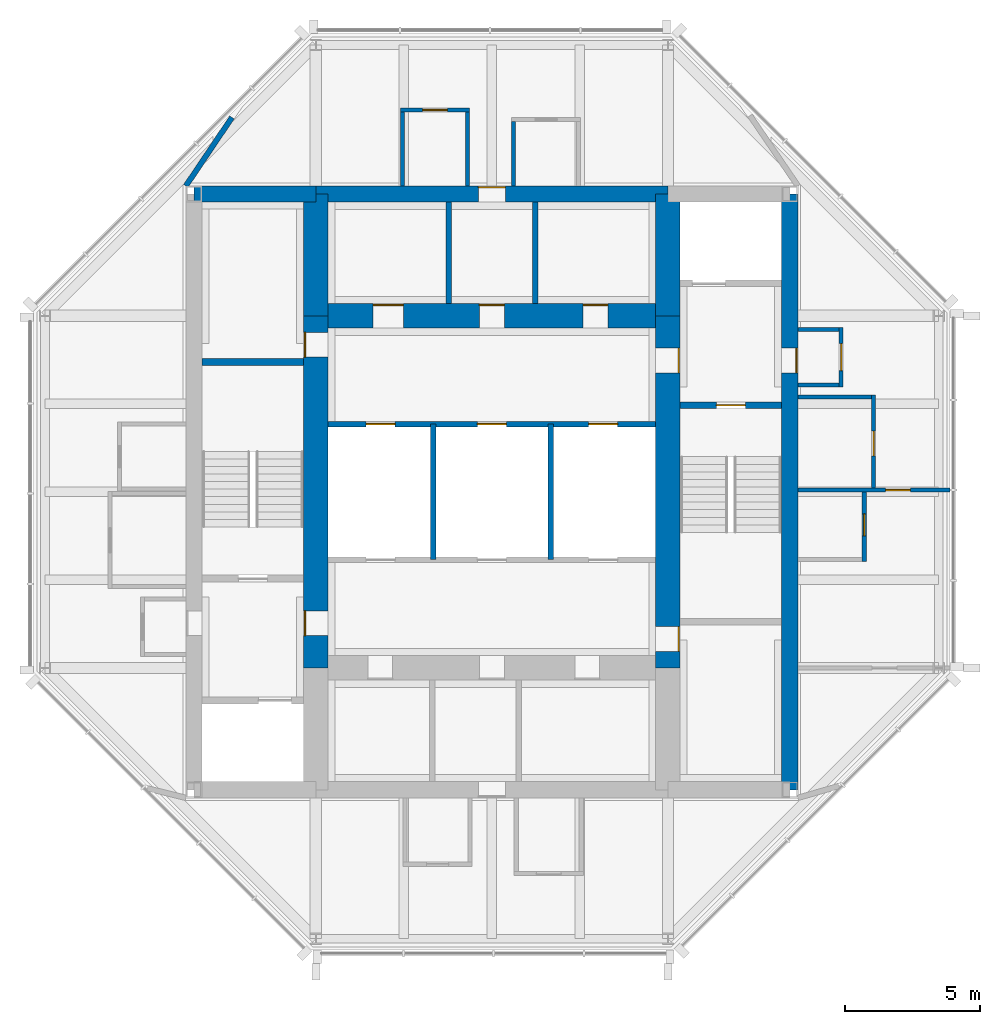
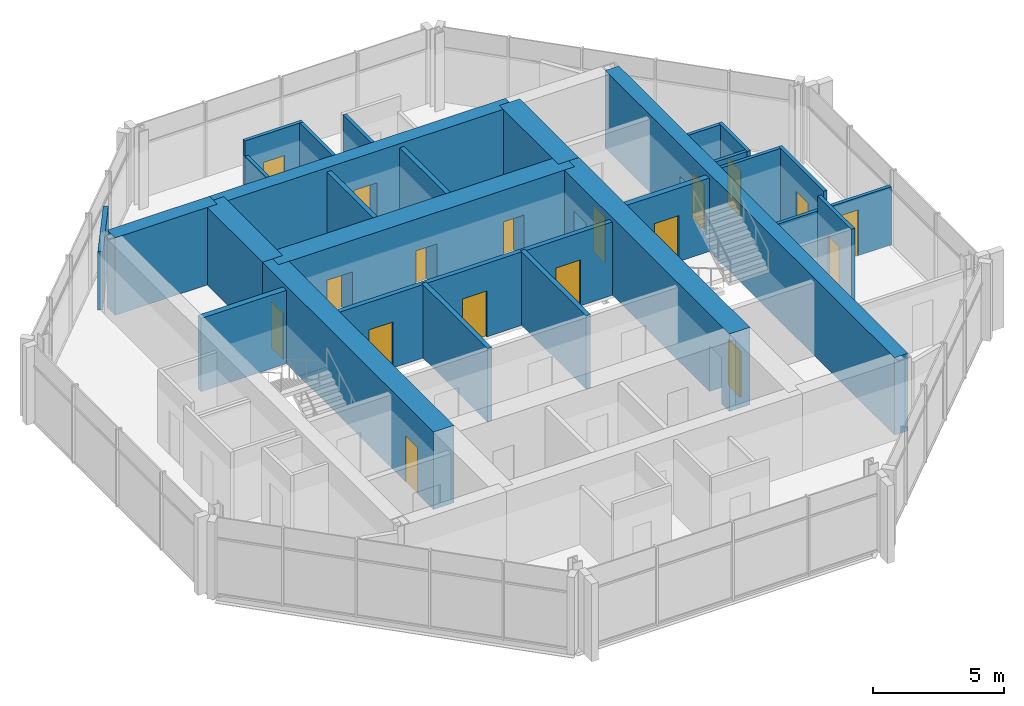
# One storey, part 6 of 8: 27 walls, 18 doors, 18 openings.
"""IFC4 building model written with IfcOpenShell, lengths in metres."""

import ifcopenshell
import ifcopenshell.guid

model = None  # the IFC model being written
_history = None  # IfcOwnerHistory: only IFC2X3 demands one
_inside = {}  # id of a spatial element -> (the spatial element, [elements in it])
_under = {}  # id of a project, library or spatial element -> (it, [spatial elements below it])
_declared = {}  # id of a project -> (the project, [libraries it declares])
_typed = {}  # id of a type object -> (the type object, [elements of that type])
_made_of = {}  # id of a material, layer set ... -> (it, [elements and type objects made of it])


def new_model(schema):
    """Start an empty IFC model of exactly this schema.

    Asked for "IFC4X3", IfcOpenShell would pick the latest addendum, in which some entities
    have other attributes; the version numbers below select the first issue.
    IFC2X3 requires an IfcOwnerHistory on every rooted entity: one is made here for all.
    """
    global model, _history
    if schema == "IFC4X3":
        model = ifcopenshell.file(schema_version=(4, 3, 0, 0))
    else:
        model = ifcopenshell.file(schema=schema)
    _inside.clear()
    _under.clear()
    _declared.clear()
    _typed.clear()
    _made_of.clear()
    _history = None
    if model.schema == "IFC2X3":
        org = make("IfcOrganization", Name="unknown")
        user = make(
            "IfcPersonAndOrganization",
            ThePerson=make("IfcPerson", FamilyName="unknown"),
            TheOrganization=org,
        )
        app = make(
            "IfcApplication",
            ApplicationDeveloper=org,
            Version="unknown",
            ApplicationFullName="unknown",
            ApplicationIdentifier="unknown",
        )
        _history = make(
            "IfcOwnerHistory",
            OwningUser=user,
            OwningApplication=app,
            ChangeAction="ADDED",
            CreationDate=0,
        )
    return model


def make(cls, **values):
    """One entity of the class cls with the attributes given. An attribute that is None is left unset."""
    return model.create_entity(
        cls, **{name: value for name, value in values.items() if value is not None}
    )


def rooted(cls, **values):
    """An entity with a GlobalId (a new one), such as an element, a storey or a relation."""
    return make(cls, GlobalId=ifcopenshell.guid.new(), OwnerHistory=_history, **values)


def si_unit(unit_type, name, prefix=None):
    """IfcSIUnit, for example si_unit("LENGTHUNIT", "METRE", prefix="MILLI")."""
    return make("IfcSIUnit", UnitType=unit_type, Prefix=prefix, Name=name)


def assignment(units):
    """IfcUnitAssignment: the units of a project."""
    return None if units is None else make("IfcUnitAssignment", Units=units)


def point(xyz):
    """IfcCartesianPoint."""
    return None if xyz is None else make("IfcCartesianPoint", Coordinates=xyz)


def direction(xyz):
    """IfcDirection."""
    return None if xyz is None else make("IfcDirection", DirectionRatios=xyz)


def frame(location, z_axis=None, x_axis=None):
    """IfcAxis2Placement3D, a coordinate frame: its origin and axes. An axis left out is left unset."""
    return make(
        "IfcAxis2Placement3D",
        Location=point(location),
        Axis=direction(z_axis),
        RefDirection=direction(x_axis),
    )


def frame_2d(location, x_axis=None):
    """IfcAxis2Placement2D, a coordinate frame in the plane: its origin and x axis."""
    return make(
        "IfcAxis2Placement2D", Location=point(location), RefDirection=direction(x_axis)
    )


def origin():
    """The frame at (0, 0, 0) with its axes left unset."""
    return frame((0.0, 0.0, 0.0))


def place(relative_to, where):
    """IfcLocalPlacement: puts the frame where relative to a parent placement (None: the world)."""
    return make(
        "IfcLocalPlacement", PlacementRelTo=relative_to, RelativePlacement=where
    )


def context(
    kind, dimensions, precision=None, world=None, true_north=None, identifier=None
):
    """IfcGeometricRepresentationContext, for example the 3D "Model" context."""
    return make(
        "IfcGeometricRepresentationContext",
        ContextIdentifier=identifier,
        ContextType=kind,
        CoordinateSpaceDimension=dimensions,
        Precision=precision,
        WorldCoordinateSystem=world,
        TrueNorth=true_north,
    )


def subcontext(parent, identifier, kind, view, scale=None):
    """IfcGeometricRepresentationSubContext, for example "Body" below "Model"."""
    return make(
        "IfcGeometricRepresentationSubContext",
        ContextIdentifier=identifier,
        ContextType=kind,
        ParentContext=parent,
        TargetScale=scale,
        TargetView=view,
    )


def project(units=None, contexts=None):
    """IfcProject with its units and contexts."""
    return rooted(
        "IfcProject",
        Name="project",
        RepresentationContexts=contexts,
        UnitsInContext=assignment(units),
    )


def spatial(cls, under=None, at=None, **own):
    """A site, building, storey or space (cls), placed at a placement, below another one or the project."""
    s = rooted(cls, ObjectPlacement=at, **own)
    if under is not None:
        _under.setdefault(under.id(), (under, []))[1].append(s)
    return s


def profile(cls, at=None, kind="AREA", **sizes):
    """A parametric profile (cls). Its sizes go by their IFC names, for example OverallWidth=200.0."""
    return make(cls, ProfileType=kind, Position=at, **sizes)


def rectangle(**sizes):
    """IfcRectangleProfileDef."""
    return profile("IfcRectangleProfileDef", **sizes)


def extrude(swept, where, along, depth):
    """IfcExtrudedAreaSolid: the profile swept, set in the frame where, extruded along a direction by depth."""
    return make(
        "IfcExtrudedAreaSolid",
        SweptArea=swept,
        Position=where,
        ExtrudedDirection=direction(along),
        Depth=depth,
    )


def shape(context_of_items, identifier, shape_type, items):
    """IfcShapeRepresentation: the items that make up one representation, for example the "Body"."""
    return make(
        "IfcShapeRepresentation",
        ContextOfItems=context_of_items,
        RepresentationIdentifier=identifier,
        RepresentationType=shape_type,
        Items=items,
    )


def material(Name=None, Category=None):
    """IfcMaterial."""
    return make("IfcMaterial", Name=Name, Category=Category)


def layer(
    of_material, thickness, ventilated=None, Name=None, Category=None, Priority=None
):
    """IfcMaterialLayer: one layer of a wall or slab, of a material (None: an air gap)."""
    return make(
        "IfcMaterialLayer",
        Material=of_material,
        LayerThickness=thickness,
        IsVentilated=ventilated,
        Name=Name,
        Category=Category,
        Priority=Priority,
    )


def layer_set(layers, Name=None):
    """IfcMaterialLayerSet."""
    return make("IfcMaterialLayerSet", MaterialLayers=layers, LayerSetName=Name)


def made_of(thing, what):
    """Note that an element or type object is made of a material, layer set ...; save() writes the relation."""
    if what is not None:
        _made_of.setdefault(what.id(), (what, []))[1].append(thing)
    return thing


def type_object(cls, material=None, **own):
    """A type object (cls), such as IfcWallType, which elements share."""
    return made_of(rooted(cls, **own), material)


def element(
    cls,
    number,
    at=None,
    inside=None,
    cuts=None,
    type_object=None,
    material=None,
    context=None,
    identifier="Body",
    shape_type=None,
    held_by="IfcProductDefinitionShape",
    body=None,
    shapes=None,
    **own,
):
    """One element of the class cls, such as IfcWall. Its Tag is "e" and its number.

    at: its placement. inside: the storey or other place that contains it. cuts: it is an
    opening in that element (IfcRelVoidsElement). A single representation is given by context,
    identifier, shape_type and body (its items); several are given by shapes. held_by: the class
    of the entity that holds the representations. save() writes the other relations.
    """
    e = rooted(cls, Tag="e%d" % number, ObjectPlacement=at, **own)
    if body is not None:
        shapes = [shape(context, identifier, shape_type, body)]
    if shapes is not None:
        e.Representation = make(held_by, Representations=shapes)
    if inside is not None:
        _inside.setdefault(inside.id(), (inside, []))[1].append(e)
    if cuts is not None:
        rooted(
            "IfcRelVoidsElement", RelatingBuildingElement=cuts, RelatedOpeningElement=e
        )
    if type_object is not None:
        _typed.setdefault(type_object.id(), (type_object, []))[1].append(e)
    return made_of(e, material)


def fill(opening, filler):
    """IfcRelFillsElement: the door or window that sits in an opening."""
    return rooted(
        "IfcRelFillsElement",
        RelatingOpeningElement=opening,
        RelatedBuildingElement=filler,
    )


def aggregate(whole, parts):
    """IfcRelAggregates: a whole, such as a stair, and the parts it consists of."""
    return rooted("IfcRelAggregates", RelatingObject=whole, RelatedObjects=parts)


def save(model, path):
    """Write the relations noted so far, then the file.

    IfcRelAggregates (storeys below a building ...), IfcRelContainedInSpatialStructure (elements
    in a storey), IfcRelDefinesByType, IfcRelAssociatesMaterial and IfcRelDeclares: one each for
    every whole, place, type object, material and project.
    """
    for whole, parts in _under.values():
        aggregate(whole, parts)
    for where, things in _inside.values():
        rooted(
            "IfcRelContainedInSpatialStructure",
            RelatedElements=things,
            RelatingStructure=where,
        )
    for kind, things in _typed.values():
        rooted("IfcRelDefinesByType", RelatedObjects=things, RelatingType=kind)
    for what, things in _made_of.values():
        rooted("IfcRelAssociatesMaterial", RelatedObjects=things, RelatingMaterial=what)
    for by, libraries in _declared.values():
        rooted("IfcRelDeclares", RelatingContext=by, RelatedDefinitions=libraries)
    model.write(path)


model = new_model("IFC4")

# Units and contexts
model_context = context("Model", 3, precision=1e-05, world=origin(), true_north=direction((0.0, 1.0)))
body_context = subcontext(model_context, "Body", "Model", "MODEL_VIEW")
ifc_project = project(units=[si_unit("LENGTHUNIT", "METRE"), si_unit("AREAUNIT", "SQUARE_METRE"), si_unit("VOLUMEUNIT", "CUBIC_METRE"), si_unit("PLANEANGLEUNIT", "RADIAN"), si_unit("MASSUNIT", "GRAM", prefix="KILO")], contexts=[model_context])

# Site, building, storey
site_placement = place(None, origin())
site = spatial("IfcSite", under=ifc_project, at=site_placement, CompositionType="ELEMENT")
building_placement = place(site_placement, origin())
building = spatial("IfcBuilding", under=site, at=building_placement, Name="Trevanion Tower", CompositionType="ELEMENT")
storey_placement = place(building_placement, frame((0.0, 0.0, 274.0)))
storey = spatial("IfcBuildingStorey", under=building, at=storey_placement, Name="L67", CompositionType="ELEMENT", Elevation=274.0)

# Wall, opening, door
ifc_material_1 = material(Name="Concrete 10,000 psi", Category="concrete")
ifc_layer_1 = layer(ifc_material_1, 0.60009765625)
ifc_layer_set_1 = layer_set([ifc_layer_1], Name="CW1 core wall 600")
wall_type_1 = type_object("IfcWallType", Name="CW1 core wall 600", PredefinedType="SHEAR", material=ifc_layer_set_1)
wall_1_placement = place(storey_placement, frame((11.0, -11.0, 0.0), z_axis=(0.0, 0.0, 1.0), x_axis=(0.0, 1.0, 0.0)))
wall_1 = element("IfcWall", 1, at=wall_1_placement, inside=storey, type_object=wall_type_1, Name="CW1 CE L67", PredefinedType="SHEAR", context=body_context, shape_type="SweptSolid", body=[
    extrude(rectangle(XDim=22.0, YDim=0.60009765625, at=frame_2d((11.0, 0.0))), origin(), (0.0, 0.0, 1.0), 3.60009765625),
])
opening_1_placement = place(wall_1_placement, frame((15.392578125, 0.0, 0.0)))
opening_1 = element("IfcOpeningElement", 2, at=opening_1_placement, cuts=wall_1, Name="Opening 67-001", PredefinedType="OPENING", context=body_context, shape_type="SweptSolid", body=[
    extrude(rectangle(XDim=0.9150390625, YDim=2.134033203125, at=frame_2d((0.45751953125, 1.06689453125))), frame((0.0, 0.31005859375, 0.0), z_axis=(0.0, -1.0, 0.0), x_axis=(1.0, 0.0, 0.0)), (0.0, 0.0, 1.0), 0.6201171875),
])
ifc_material_2 = material(Name="Hollow metal, fire rated", Category="steel")
door_type_1 = type_object("IfcDoorType", Name="D3 fire lift lobby door", OperationType="SINGLE_SWING_RIGHT", PredefinedType="DOOR", material=ifc_material_2)
door_1_placement = place(opening_1_placement, origin())
door_1 = element("IfcDoor", 3, at=door_1_placement, inside=storey, type_object=door_type_1, Name="Door 67-001", OperationType="SINGLE_SWING_RIGHT", OverallHeight=2.134033203125, OverallWidth=0.9150390625, PredefinedType="DOOR", context=body_context, shape_type="SweptSolid", body=[
    extrude(rectangle(XDim=0.9150390625, YDim=2.134033203125, at=frame_2d((0.45751953125, 1.06689453125))), frame((0.0, -0.22509765625, 0.0), z_axis=(0.0, -1.0, 0.0), x_axis=(1.0, 0.0, 0.0)), (0.0, 0.0, 1.0), 0.050048828125),
])
fill(opening_1, door_1)

wall_2_placement = place(storey_placement, frame((6.5, 11.0, 0.0), z_axis=(0.0, 0.0, 1.0), x_axis=(-1.0, 0.0, 0.0)))
wall_2 = element("IfcWall", 4, at=wall_2_placement, inside=storey, type_object=wall_type_1, Name="CW1 CN2 L67", PredefinedType="SHEAR", context=body_context, shape_type="SweptSolid", body=[
    extrude(rectangle(XDim=13.0, YDim=0.60009765625, at=frame_2d((6.5, 0.0))), origin(), (0.0, 0.0, 1.0), 3.60009765625),
])
opening_2_placement = place(wall_2_placement, frame((6.0, 0.0, 0.0)))
opening_2 = element("IfcOpeningElement", 5, at=opening_2_placement, cuts=wall_2, Name="Opening 67-018", PredefinedType="OPENING", context=body_context, shape_type="SweptSolid", body=[
    extrude(rectangle(XDim=1.0, YDim=2.134033203125, at=frame_2d((0.5, 1.06689453125))), frame((0.0, 0.31005859375, 0.0), z_axis=(0.0, -1.0, 0.0), x_axis=(1.0, 0.0, 0.0)), (0.0, 0.0, 1.0), 0.6201171875),
])
ifc_material_3 = material(Name="Timber veneer on steel frame, fire rated", Category="steel")
door_type_2 = type_object("IfcDoorType", Name="D13 residence entrance door", OperationType="SINGLE_SWING_RIGHT", PredefinedType="DOOR", material=ifc_material_3)
door_2_placement = place(opening_2_placement, origin())
door_2 = element("IfcDoor", 6, at=door_2_placement, inside=storey, type_object=door_type_2, Name="Door 67-018", OperationType="SINGLE_SWING_RIGHT", OverallHeight=2.134033203125, OverallWidth=1.0, PredefinedType="DOOR", context=body_context, shape_type="SweptSolid", body=[
    extrude(rectangle(XDim=1.0, YDim=2.134033203125, at=frame_2d((0.5, 1.06689453125))), frame((0.0, -0.22509765625, 0.0), z_axis=(0.0, -1.0, 0.0), x_axis=(1.0, 0.0, 0.0)), (0.0, 0.0, 1.0), 0.050048828125),
])
fill(opening_2, door_2)

# Wall
wall_3_placement = place(storey_placement, frame((-6.5, 11.0, 0.0), z_axis=(0.0, 0.0, 1.0), x_axis=(-1.0, 0.0, 0.0)))
element("IfcWall", 7, at=wall_3_placement, inside=storey, type_object=wall_type_1, Name="CW1 CN3 L67", PredefinedType="SHEAR", context=body_context, shape_type="SweptSolid", body=[
    extrude(rectangle(XDim=4.5, YDim=0.60009765625, at=frame_2d((2.25, 0.0))), origin(), (0.0, 0.0, 1.0), 3.60009765625),
])

# Wall, openings, doors
ifc_material_4 = material(Name="Concrete 10,000 psi", Category="concrete")
ifc_layer_2 = layer(ifc_material_4, 0.89990234375)
ifc_layer_set_2 = layer_set([ifc_layer_2], Name="CW2 core wall 900")
wall_type_2 = type_object("IfcWallType", Name="CW2 core wall 900", PredefinedType="SHEAR", material=ifc_layer_set_2)
wall_4_placement = place(storey_placement, frame((6.5, -6.5, 0.0), z_axis=(0.0, 0.0, 1.0), x_axis=(0.0, 1.0, 0.0)))
wall_4 = element("IfcWall", 8, at=wall_4_placement, inside=storey, type_object=wall_type_2, Name="CW2 RE2 L67", PredefinedType="SHEAR", context=body_context, shape_type="SweptSolid", body=[
    extrude(rectangle(XDim=13.0, YDim=0.89990234375, at=frame_2d((6.5, 0.0))), origin(), (0.0, 0.0, 1.0), 3.60009765625),
])
opening_3_placement = place(wall_4_placement, frame((10.892578125, 0.0, 0.0)))
opening_3 = element("IfcOpeningElement", 9, at=opening_3_placement, cuts=wall_4, Name="Opening 67-003", PredefinedType="OPENING", context=body_context, shape_type="SweptSolid", body=[
    extrude(rectangle(XDim=0.9150390625, YDim=2.134033203125, at=frame_2d((0.45751953125, 1.06689453125))), frame((0.0, 0.4599609375, 0.0), z_axis=(0.0, -1.0, 0.0), x_axis=(1.0, 0.0, 0.0)), (0.0, 0.0, 1.0), 0.919921875),
])
opening_4_placement = place(wall_4_placement, frame((0.610107421875, 0.0, 0.0)))
opening_4 = element("IfcOpeningElement", 10, at=opening_4_placement, cuts=wall_4, Name="Opening 67-009", PredefinedType="OPENING", context=body_context, shape_type="SweptSolid", body=[
    extrude(rectangle(XDim=0.9150390625, YDim=2.134033203125, at=frame_2d((0.45751953125, 1.06689453125))), frame((0.0, 0.4599609375, 0.0), z_axis=(0.0, -1.0, 0.0), x_axis=(1.0, 0.0, 0.0)), (0.0, 0.0, 1.0), 0.919921875),
])
door_3_placement = place(opening_3_placement, origin())
door_3 = element("IfcDoor", 11, at=door_3_placement, inside=storey, type_object=door_type_1, Name="Door 67-003", OperationType="SINGLE_SWING_RIGHT", OverallHeight=2.134033203125, OverallWidth=0.9150390625, PredefinedType="DOOR", context=body_context, shape_type="SweptSolid", body=[
    extrude(rectangle(XDim=0.9150390625, YDim=2.134033203125, at=frame_2d((0.45751953125, 1.06689453125))), frame((0.0, -0.375, 0.0), z_axis=(0.0, -1.0, 0.0), x_axis=(1.0, 0.0, 0.0)), (0.0, 0.0, 1.0), 0.050048828125),
])
fill(opening_3, door_3)
ifc_material_5 = material(Name="Hollow metal, fire rated", Category="steel")
door_type_3 = type_object("IfcDoorType", Name="D5 service room door", OperationType="SINGLE_SWING_RIGHT", PredefinedType="DOOR", material=ifc_material_5)
door_4_placement = place(opening_4_placement, origin())
door_4 = element("IfcDoor", 12, at=door_4_placement, inside=storey, type_object=door_type_3, Name="Door 67-009", OperationType="SINGLE_SWING_RIGHT", OverallHeight=2.134033203125, OverallWidth=0.9150390625, PredefinedType="DOOR", context=body_context, shape_type="SweptSolid", body=[
    extrude(rectangle(XDim=0.9150390625, YDim=2.134033203125, at=frame_2d((0.45751953125, 1.06689453125))), frame((0.0, -0.375, 0.0), z_axis=(0.0, -1.0, 0.0), x_axis=(1.0, 0.0, 0.0)), (0.0, 0.0, 1.0), 0.050048828125),
])
fill(opening_4, door_4)

# Walls
for number, where, z_axis, x_axis, name in (
    (13, (6.5, 6.5, 0.0), (0.0, 0.0, 1.0), (0.0, 1.0, 0.0), "CW2 RE3 L67"),
    (14, (-6.5, 11.0, 0.0), (0.0, 0.0, 1.0), (0.0, -1.0, 0.0), "CW2 RW1 L67"),
):
    element("IfcWall", number, at=place(storey_placement, frame(where, z_axis=z_axis, x_axis=x_axis)), inside=storey, type_object=wall_type_2, Name=name, PredefinedType="SHEAR", context=body_context, shape_type="SweptSolid", body=[
        extrude(rectangle(XDim=4.5, YDim=0.89990234375, at=frame_2d((2.25, 0.0))), origin(), (0.0, 0.0, 1.0), 3.60009765625),
    ])

# Wall, openings, doors
wall_5_placement = place(storey_placement, frame((-6.5, 6.5, 0.0), z_axis=(0.0, 0.0, 1.0), x_axis=(0.0, -1.0, 0.0)))
wall_5 = element("IfcWall", 15, at=wall_5_placement, inside=storey, type_object=wall_type_2, Name="CW2 RW2 L67", PredefinedType="SHEAR", context=body_context, shape_type="SweptSolid", body=[
    extrude(rectangle(XDim=13.0, YDim=0.89990234375, at=frame_2d((6.5, 0.0))), origin(), (0.0, 0.0, 1.0), 3.60009765625),
])
opening_5_placement = place(wall_5_placement, frame((10.892578125, 0.0, 0.0)))
opening_5 = element("IfcOpeningElement", 16, at=opening_5_placement, cuts=wall_5, Name="Opening 67-004", PredefinedType="OPENING", context=body_context, shape_type="SweptSolid", body=[
    extrude(rectangle(XDim=0.9150390625, YDim=2.134033203125, at=frame_2d((0.45751953125, 1.06689453125))), frame((0.0, 0.4599609375, 0.0), z_axis=(0.0, -1.0, 0.0), x_axis=(1.0, 0.0, 0.0)), (0.0, 0.0, 1.0), 0.919921875),
])
opening_6_placement = place(wall_5_placement, frame((0.610107421875, 0.0, 0.0)))
opening_6 = element("IfcOpeningElement", 17, at=opening_6_placement, cuts=wall_5, Name="Opening 67-010", PredefinedType="OPENING", context=body_context, shape_type="SweptSolid", body=[
    extrude(rectangle(XDim=0.9150390625, YDim=2.134033203125, at=frame_2d((0.45751953125, 1.06689453125))), frame((0.0, 0.4599609375, 0.0), z_axis=(0.0, -1.0, 0.0), x_axis=(1.0, 0.0, 0.0)), (0.0, 0.0, 1.0), 0.919921875),
])
door_5_placement = place(opening_5_placement, origin())
door_5 = element("IfcDoor", 18, at=door_5_placement, inside=storey, type_object=door_type_1, Name="Door 67-004", OperationType="SINGLE_SWING_RIGHT", OverallHeight=2.134033203125, OverallWidth=0.9150390625, PredefinedType="DOOR", context=body_context, shape_type="SweptSolid", body=[
    extrude(rectangle(XDim=0.9150390625, YDim=2.134033203125, at=frame_2d((0.45751953125, 1.06689453125))), frame((0.0, -0.375, 0.0), z_axis=(0.0, -1.0, 0.0), x_axis=(1.0, 0.0, 0.0)), (0.0, 0.0, 1.0), 0.050048828125),
])
fill(opening_5, door_5)
door_6_placement = place(opening_6_placement, origin())
door_6 = element("IfcDoor", 19, at=door_6_placement, inside=storey, type_object=door_type_3, Name="Door 67-010", OperationType="SINGLE_SWING_RIGHT", OverallHeight=2.134033203125, OverallWidth=0.9150390625, PredefinedType="DOOR", context=body_context, shape_type="SweptSolid", body=[
    extrude(rectangle(XDim=0.9150390625, YDim=2.134033203125, at=frame_2d((0.45751953125, 1.06689453125))), frame((0.0, -0.375, 0.0), z_axis=(0.0, -1.0, 0.0), x_axis=(1.0, 0.0, 0.0)), (0.0, 0.0, 1.0), 0.050048828125),
])
fill(opening_6, door_6)

wall_6_placement = place(storey_placement, frame((6.5, 6.5, 0.0), z_axis=(0.0, 0.0, 1.0), x_axis=(-1.0, 0.0, 0.0)))
wall_6 = element("IfcWall", 20, at=wall_6_placement, inside=storey, type_object=wall_type_2, Name="CW2 RN L67", PredefinedType="SHEAR", context=body_context, shape_type="SweptSolid", body=[
    extrude(rectangle(XDim=13.0, YDim=0.89990234375, at=frame_2d((6.5, 0.0))), origin(), (0.0, 0.0, 1.0), 3.60009765625),
])
opening_7_placement = place(wall_6_placement, frame((6.04248046875, 0.0, 0.0)))
opening_7 = element("IfcOpeningElement", 21, at=opening_7_placement, cuts=wall_6, Name="Opening 67-017", PredefinedType="OPENING", context=body_context, shape_type="SweptSolid", body=[
    extrude(rectangle(XDim=0.9150390625, YDim=2.134033203125, at=frame_2d((0.45751953125, 1.06689453125))), frame((0.0, 0.4599609375, 0.0), z_axis=(0.0, -1.0, 0.0), x_axis=(1.0, 0.0, 0.0)), (0.0, 0.0, 1.0), 0.919921875),
])
opening_8_placement = place(wall_6_placement, frame((9.76611328125, 0.0, 0.0)))
opening_8 = element("IfcOpeningElement", 22, at=opening_8_placement, cuts=wall_6, Name="Opening 67-019", PredefinedType="OPENING", context=body_context, shape_type="SweptSolid", body=[
    extrude(rectangle(XDim=1.117919921875, YDim=2.134033203125, at=frame_2d((0.55908203125, 1.06689453125))), frame((0.0, 0.4599609375, 0.0), z_axis=(0.0, -1.0, 0.0), x_axis=(1.0, 0.0, 0.0)), (0.0, 0.0, 1.0), 0.919921875),
])
opening_9_placement = place(wall_6_placement, frame((2.217529296875, 0.0, 0.0)))
opening_9 = element("IfcOpeningElement", 23, at=opening_9_placement, cuts=wall_6, Name="Opening 67-020", PredefinedType="OPENING", context=body_context, shape_type="SweptSolid", body=[
    extrude(rectangle(XDim=0.9150390625, YDim=2.134033203125, at=frame_2d((0.45751953125, 1.06689453125))), frame((0.0, 0.4599609375, 0.0), z_axis=(0.0, -1.0, 0.0), x_axis=(1.0, 0.0, 0.0)), (0.0, 0.0, 1.0), 0.919921875),
])
ifc_material_6 = material(Name="Hollow metal, fire rated", Category="steel")
door_type_4 = type_object("IfcDoorType", Name="D16 refuse room door", OperationType="SINGLE_SWING_RIGHT", PredefinedType="DOOR", material=ifc_material_6)
door_7_placement = place(opening_8_placement, origin())
door_7 = element("IfcDoor", 24, at=door_7_placement, inside=storey, type_object=door_type_4, Name="Door 67-019", OperationType="SINGLE_SWING_RIGHT", OverallHeight=2.134033203125, OverallWidth=1.117919921875, PredefinedType="DOOR", context=body_context, shape_type="SweptSolid", body=[
    extrude(rectangle(XDim=1.117919921875, YDim=2.134033203125, at=frame_2d((0.55908203125, 1.06689453125))), frame((0.0, -0.375, 0.0), z_axis=(0.0, -1.0, 0.0), x_axis=(1.0, 0.0, 0.0)), (0.0, 0.0, 1.0), 0.050048828125),
])
fill(opening_8, door_7)
door_8_placement = place(opening_7_placement, origin())
door_8 = element("IfcDoor", 25, at=door_8_placement, inside=storey, type_object=door_type_1, Name="Door 67-017", OperationType="SINGLE_SWING_RIGHT", OverallHeight=2.134033203125, OverallWidth=0.9150390625, PredefinedType="DOOR", context=body_context, shape_type="SweptSolid", body=[
    extrude(rectangle(XDim=0.9150390625, YDim=2.134033203125, at=frame_2d((0.45751953125, 1.06689453125))), frame((0.0, -0.375, 0.0), z_axis=(0.0, -1.0, 0.0), x_axis=(1.0, 0.0, 0.0)), (0.0, 0.0, 1.0), 0.050048828125),
])
fill(opening_7, door_8)
door_9_placement = place(opening_9_placement, origin())
door_9 = element("IfcDoor", 26, at=door_9_placement, inside=storey, type_object=door_type_3, Name="Door 67-020", OperationType="SINGLE_SWING_RIGHT", OverallHeight=2.134033203125, OverallWidth=0.9150390625, PredefinedType="DOOR", context=body_context, shape_type="SweptSolid", body=[
    extrude(rectangle(XDim=0.9150390625, YDim=2.134033203125, at=frame_2d((0.45751953125, 1.06689453125))), frame((0.0, -0.375, 0.0), z_axis=(0.0, -1.0, 0.0), x_axis=(1.0, 0.0, 0.0)), (0.0, 0.0, 1.0), 0.050048828125),
])
fill(opening_9, door_9)

# Wall, opening, door
ifc_material_7 = material(Name="Gypsum board on steel studs", Category="steel")
ifc_layer_3 = layer(ifc_material_7, 0.14990234375)
ifc_layer_set_3 = layer_set([ifc_layer_3], Name="PT1 partition 150")
wall_type_3 = type_object("IfcWallType", Name="PT1 partition 150", PredefinedType="PARTITIONING", material=ifc_layer_set_3)
wall_7_placement = place(storey_placement, frame((11.300048828125, 0.06494140625, 0.0), z_axis=(0.0, 0.0, 1.0), x_axis=(1.0, 0.0, 0.0)))
wall_7 = element("IfcWall", 27, at=wall_7_placement, inside=storey, type_object=wall_type_3, Name="PT1 L67 REC1", PredefinedType="PARTITIONING", context=body_context, shape_type="SweptSolid", body=[
    extrude(rectangle(XDim=5.614990234375, YDim=0.14990234375, at=frame_2d((2.8076171875, 0.0))), origin(), (0.0, 0.0, 1.0), 2.708984375),
])
opening_10_placement = place(wall_7_placement, frame((3.242431640625, 0.0, 0.0)))
opening_10 = element("IfcOpeningElement", 28, at=opening_10_placement, cuts=wall_7, Name="Opening 67-029", PredefinedType="OPENING", context=body_context, shape_type="SweptSolid", body=[
    extrude(rectangle(XDim=0.9150390625, YDim=2.134033203125, at=frame_2d((0.45751953125, 1.06689453125))), frame((0.0, 0.0849609375, 0.0), z_axis=(0.0, -1.0, 0.0), x_axis=(1.0, 0.0, 0.0)), (0.0, 0.0, 1.0), 0.169921875),
])
ifc_material_8 = material(Name="Timber veneer, solid core", Category="wood")
door_type_5 = type_object("IfcDoorType", Name="D1 office and meeting room door", OperationType="SINGLE_SWING_LEFT", PredefinedType="DOOR", material=ifc_material_8)
door_10_placement = place(opening_10_placement, origin())
door_10 = element("IfcDoor", 29, at=door_10_placement, inside=storey, type_object=door_type_5, Name="Door 67-029", OperationType="SINGLE_SWING_LEFT", OverallHeight=2.134033203125, OverallWidth=0.9150390625, PredefinedType="DOOR", context=body_context, shape_type="SweptSolid", body=[
    extrude(rectangle(XDim=0.9150390625, YDim=2.134033203125, at=frame_2d((0.45751953125, 1.06689453125))), frame((0.0, 0.02490234375, 0.0), z_axis=(0.0, -1.0, 0.0), x_axis=(1.0, 0.0, 0.0)), (0.0, 0.0, 1.0), 0.050048828125),
])
fill(opening_10, door_10)

# Walls
for number, where, z_axis, x_axis, name in (
    (30, (11.300048828125, 3.949951171875, 0.0), (0.0, 0.0, 1.0), (1.0, 0.0, 0.0), "PT1 L67 REEA"),
    (31, (11.300048828125, 6.0, 0.0), (0.0, 0.0, 1.0), (1.0, 0.0, 0.0), "PT1 L67 REEB"),
):
    element("IfcWall", number, at=place(storey_placement, frame(where, z_axis=z_axis, x_axis=x_axis)), inside=storey, type_object=wall_type_3, Name=name, PredefinedType="PARTITIONING", context=body_context, shape_type="SweptSolid", body=[
        extrude(rectangle(XDim=1.52490234375, YDim=0.14990234375, at=frame_2d((0.762451171875, 0.0))), origin(), (0.0, 0.0, 1.0), 3.409912109375),
    ])

# Wall, opening, door
wall_8_placement = place(storey_placement, frame((14.10009765625, 0.139892578125, 0.0), z_axis=(0.0, 0.0, 1.0), x_axis=(0.0, 1.0, 0.0)))
wall_8 = element("IfcWall", 32, at=wall_8_placement, inside=storey, type_object=wall_type_3, Name="PT1 L67 REKF", PredefinedType="PARTITIONING", context=body_context, shape_type="SweptSolid", body=[
    extrude(rectangle(XDim=3.43505859375, YDim=0.14990234375, at=frame_2d((1.717529296875, 0.0))), origin(), (0.0, 0.0, 1.0), 3.409912109375),
])
opening_11_placement = place(wall_8_placement, frame((1.18505859375, 0.0, 0.0)))
opening_11 = element("IfcOpeningElement", 33, at=opening_11_placement, cuts=wall_8, Name="Opening 67-026", PredefinedType="OPENING", context=body_context, shape_type="SweptSolid", body=[
    extrude(rectangle(XDim=0.9150390625, YDim=2.134033203125, at=frame_2d((0.45751953125, 1.06689453125))), frame((0.0, 0.0849609375, 0.0), z_axis=(0.0, -1.0, 0.0), x_axis=(1.0, 0.0, 0.0)), (0.0, 0.0, 1.0), 0.169921875),
])
door_11_placement = place(opening_11_placement, origin())
door_11 = element("IfcDoor", 34, at=door_11_placement, inside=storey, type_object=door_type_5, Name="Door 67-026", OperationType="SINGLE_SWING_LEFT", OverallHeight=2.134033203125, OverallWidth=0.9150390625, PredefinedType="DOOR", context=body_context, shape_type="SweptSolid", body=[
    extrude(rectangle(XDim=0.9150390625, YDim=2.134033203125, at=frame_2d((0.45751953125, 1.06689453125))), frame((0.0, 0.02490234375, 0.0), z_axis=(0.0, -1.0, 0.0), x_axis=(1.0, 0.0, 0.0)), (0.0, 0.0, 1.0), 0.050048828125),
])
fill(opening_11, door_11)

# Wall
wall_9_placement = place(storey_placement, frame((11.300048828125, 3.5, 0.0), z_axis=(0.0, 0.0, 1.0), x_axis=(1.0, 0.0, 0.0)))
element("IfcWall", 35, at=wall_9_placement, inside=storey, type_object=wall_type_3, Name="PT1 L67 REKB", PredefinedType="PARTITIONING", context=body_context, shape_type="SweptSolid", body=[
    extrude(rectangle(XDim=2.724853515625, YDim=0.14990234375, at=frame_2d((1.3623046875, 0.0))), origin(), (0.0, 0.0, 1.0), 3.409912109375),
])

# Wall, opening, door
wall_10_placement = place(storey_placement, frame((13.75, -2.574951171875, 0.0), z_axis=(0.0, 0.0, 1.0), x_axis=(0.0, 1.0, 0.0)))
wall_10 = element("IfcWall", 36, at=wall_10_placement, inside=storey, type_object=wall_type_3, Name="PT1 L67 RETF", PredefinedType="PARTITIONING", context=body_context, shape_type="SweptSolid", body=[
    extrude(rectangle(XDim=2.56494140625, YDim=0.14990234375, at=frame_2d((1.282470703125, 0.0))), origin(), (0.0, 0.0, 1.0), 3.409912109375),
])
opening_12_placement = place(wall_10_placement, frame((0.950927734375, 0.0, 0.0)))
opening_12 = element("IfcOpeningElement", 37, at=opening_12_placement, cuts=wall_10, Name="Opening 67-027", PredefinedType="OPENING", context=body_context, shape_type="SweptSolid", body=[
    extrude(rectangle(XDim=0.81298828125, YDim=2.031982421875, at=frame_2d((0.406494140625, 1.01611328125))), frame((0.0, 0.0849609375, 0.0), z_axis=(0.0, -1.0, 0.0), x_axis=(1.0, 0.0, 0.0)), (0.0, 0.0, 1.0), 0.169921875),
])
ifc_material_9 = material(Name="Timber veneer", Category="wood")
door_type_6 = type_object("IfcDoorType", Name="D14 residence bathroom door", OperationType="SINGLE_SWING_LEFT", PredefinedType="DOOR", material=ifc_material_9)
door_12_placement = place(opening_12_placement, origin())
door_12 = element("IfcDoor", 38, at=door_12_placement, inside=storey, type_object=door_type_6, Name="Door 67-027", OperationType="SINGLE_SWING_LEFT", OverallHeight=2.031982421875, OverallWidth=0.81298828125, PredefinedType="DOOR", context=body_context, shape_type="SweptSolid", body=[
    extrude(rectangle(XDim=0.81298828125, YDim=2.031982421875, at=frame_2d((0.406494140625, 1.01611328125))), frame((0.0, 0.02490234375, 0.0), z_axis=(0.0, -1.0, 0.0), x_axis=(1.0, 0.0, 0.0)), (0.0, 0.0, 1.0), 0.050048828125),
])
fill(opening_12, door_12)

wall_11_placement = place(storey_placement, frame((-0.824951171875, 14.10009765625, 0.0), z_axis=(0.0, 0.0, 1.0), x_axis=(-1.0, 0.0, 0.0)))
wall_11 = element("IfcWall", 39, at=wall_11_placement, inside=storey, type_object=wall_type_3, Name="PT1 L67 RNKF", PredefinedType="PARTITIONING", context=body_context, shape_type="SweptSolid", body=[
    extrude(rectangle(XDim=2.550048828125, YDim=0.14990234375, at=frame_2d((1.27490234375, 0.0))), origin(), (0.0, 0.0, 1.0), 3.409912109375),
])
opening_13_placement = place(wall_11_placement, frame((0.8173828125, 0.0, 0.0)))
opening_13 = element("IfcOpeningElement", 40, at=opening_13_placement, cuts=wall_11, Name="Opening 67-030", PredefinedType="OPENING", context=body_context, shape_type="SweptSolid", body=[
    extrude(rectangle(XDim=0.9150390625, YDim=2.134033203125, at=frame_2d((0.45751953125, 1.06689453125))), frame((0.0, 0.0849609375, 0.0), z_axis=(0.0, -1.0, 0.0), x_axis=(1.0, 0.0, 0.0)), (0.0, 0.0, 1.0), 0.169921875),
])
door_13_placement = place(opening_13_placement, origin())
door_13 = element("IfcDoor", 41, at=door_13_placement, inside=storey, type_object=door_type_5, Name="Door 67-030", OperationType="SINGLE_SWING_LEFT", OverallHeight=2.134033203125, OverallWidth=0.9150390625, PredefinedType="DOOR", context=body_context, shape_type="SweptSolid", body=[
    extrude(rectangle(XDim=0.9150390625, YDim=2.134033203125, at=frame_2d((0.45751953125, 1.06689453125))), frame((0.0, 0.02490234375, 0.0), z_axis=(0.0, -1.0, 0.0), x_axis=(1.0, 0.0, 0.0)), (0.0, 0.0, 1.0), 0.050048828125),
])
fill(opening_13, door_13)

# Walls
wall_12_placement = place(storey_placement, frame((-0.89990234375, 11.300048828125, 0.0), z_axis=(0.0, 0.0, 1.0), x_axis=(0.0, 1.0, 0.0)))
element("IfcWall", 42, at=wall_12_placement, inside=storey, type_object=wall_type_3, Name="PT1 L67 RNKA", PredefinedType="PARTITIONING", context=body_context, shape_type="SweptSolid", body=[
    extrude(rectangle(XDim=2.724853515625, YDim=0.14990234375, at=frame_2d((1.3623046875, 0.0))), origin(), (0.0, 0.0, 1.0), 3.409912109375),
])
wall_13_placement = place(storey_placement, frame((-3.300048828125, 11.300048828125, 0.0), z_axis=(0.0, 0.0, 1.0), x_axis=(0.0, 1.0, 0.0)))
element("IfcWall", 43, at=wall_13_placement, inside=storey, type_object=wall_type_3, Name="PT1 L67 RNKB", PredefinedType="PARTITIONING", context=body_context, shape_type="SweptSolid", body=[
    extrude(rectangle(XDim=2.724853515625, YDim=0.14990234375, at=frame_2d((1.3623046875, 0.0))), origin(), (0.0, 0.0, 1.0), 2.708984375),
])
wall_14_placement = place(storey_placement, frame((0.800048828125, 11.300048828125, 0.0), z_axis=(0.0, 0.0, 1.0), x_axis=(0.0, 1.0, 0.0)))
element("IfcWall", 44, at=wall_14_placement, inside=storey, type_object=wall_type_3, Name="PT1 L67 RNTB", PredefinedType="PARTITIONING", context=body_context, shape_type="SweptSolid", body=[
    extrude(rectangle(XDim=2.375, YDim=0.14990234375, at=frame_2d((1.1875, 0.0))), origin(), (0.0, 0.0, 1.0), 3.409912109375),
])

# Wall, opening, door
ifc_material_10 = material(Name="Gypsum board on steel studs", Category="steel")
ifc_layer_4 = layer(ifc_material_10, 0.14990234375)
ifc_layer_set_4 = layer_set([ifc_layer_4], Name="PT1 partition 150 1 HR")
wall_type_4 = type_object("IfcWallType", Name="PT1 partition 150 1 HR", PredefinedType="PARTITIONING", material=ifc_layer_set_4)
wall_15_placement = place(storey_placement, frame((12.89990234375, 3.875, 0.0), z_axis=(0.0, 0.0, 1.0), x_axis=(0.0, 1.0, 0.0)))
wall_15 = element("IfcWall", 45, at=wall_15_placement, inside=storey, type_object=wall_type_4, Name="PT1 L67 REEF", PredefinedType="PARTITIONING", context=body_context, shape_type="SweptSolid", body=[
    extrude(rectangle(XDim=2.199951171875, YDim=0.14990234375, at=frame_2d((1.10009765625, 0.0))), origin(), (0.0, 0.0, 1.0), 3.409912109375),
])
opening_14_placement = place(wall_15_placement, frame((0.60009765625, 0.0, 0.0)))
opening_14 = element("IfcOpeningElement", 46, at=opening_14_placement, cuts=wall_15, Name="Opening 67-025", PredefinedType="OPENING", context=body_context, shape_type="SweptSolid", body=[
    extrude(rectangle(XDim=1.0, YDim=2.134033203125, at=frame_2d((0.5, 1.06689453125))), frame((0.0, 0.0849609375, 0.0), z_axis=(0.0, -1.0, 0.0), x_axis=(1.0, 0.0, 0.0)), (0.0, 0.0, 1.0), 0.169921875),
])
door_14_placement = place(opening_14_placement, origin())
door_14 = element("IfcDoor", 47, at=door_14_placement, inside=storey, type_object=door_type_2, Name="Door 67-025", OperationType="SINGLE_SWING_RIGHT", OverallHeight=2.134033203125, OverallWidth=1.0, PredefinedType="DOOR", context=body_context, shape_type="SweptSolid", body=[
    extrude(rectangle(XDim=1.0, YDim=2.134033203125, at=frame_2d((0.5, 1.06689453125))), frame((0.0, 0.02490234375, 0.0), z_axis=(0.0, -1.0, 0.0), x_axis=(1.0, 0.0, 0.0)), (0.0, 0.0, 1.0), 0.050048828125),
])
fill(opening_14, door_14)

# Wall, openings, doors
ifc_material_11 = material(Name="Concrete masonry, grouted", Category="masonry")
ifc_layer_5 = layer(ifc_material_11, 0.199951171875)
ifc_layer_set_5 = layer_set([ifc_layer_5], Name="PT2 partition 200 1 HR")
wall_type_5 = type_object("IfcWallType", Name="PT2 partition 200 1 HR", PredefinedType="PARTITIONING", material=ifc_layer_set_5)
wall_16_placement = place(storey_placement, frame((-6.050048828125, 2.5, 0.0), z_axis=(0.0, 0.0, 1.0), x_axis=(1.0, 0.0, 0.0)))
wall_16 = element("IfcWall", 48, at=wall_16_placement, inside=storey, type_object=wall_type_5, Name="PT2 L67 CP1", PredefinedType="PARTITIONING", context=body_context, shape_type="SweptSolid", body=[
    extrude(rectangle(XDim=12.10009765625, YDim=0.199951171875, at=frame_2d((6.050048828125, 0.0))), origin(), (0.0, 0.0, 1.0), 3.409912109375),
])
opening_15_placement = place(wall_16_placement, frame((1.408203125, 0.0, 0.0)))
opening_15 = element("IfcOpeningElement", 49, at=opening_15_placement, cuts=wall_16, Name="Opening 67-011", PredefinedType="OPENING", context=body_context, shape_type="SweptSolid", body=[
    extrude(rectangle(XDim=1.06689453125, YDim=2.134033203125, at=frame_2d((0.533447265625, 1.06689453125))), frame((0.0, 0.10986328125, 0.0), z_axis=(0.0, -1.0, 0.0), x_axis=(1.0, 0.0, 0.0)), (0.0, 0.0, 1.0), 0.219970703125),
])
opening_16_placement = place(wall_16_placement, frame((5.5166015625, 0.0, 0.0)))
opening_16 = element("IfcOpeningElement", 50, at=opening_16_placement, cuts=wall_16, Name="Opening 67-013", PredefinedType="OPENING", context=body_context, shape_type="SweptSolid", body=[
    extrude(rectangle(XDim=1.06689453125, YDim=2.134033203125, at=frame_2d((0.533447265625, 1.06689453125))), frame((0.0, 0.10986328125, 0.0), z_axis=(0.0, -1.0, 0.0), x_axis=(1.0, 0.0, 0.0)), (0.0, 0.0, 1.0), 0.219970703125),
])
opening_17_placement = place(wall_16_placement, frame((9.624755859375, 0.0, 0.0)))
opening_17 = element("IfcOpeningElement", 51, at=opening_17_placement, cuts=wall_16, Name="Opening 67-015", PredefinedType="OPENING", context=body_context, shape_type="SweptSolid", body=[
    extrude(rectangle(XDim=1.06689453125, YDim=2.134033203125, at=frame_2d((0.533447265625, 1.06689453125))), frame((0.0, 0.10986328125, 0.0), z_axis=(0.0, -1.0, 0.0), x_axis=(1.0, 0.0, 0.0)), (0.0, 0.0, 1.0), 0.219970703125),
])
ifc_material_12 = material(Name="Stainless steel, fire rated", Category="steel")
door_type_7 = type_object("IfcDoorType", Name="LD1 lift landing door", OperationType="SLIDING_TO_LEFT", PredefinedType="DOOR", material=ifc_material_12)
door_15_placement = place(opening_15_placement, origin())
door_15 = element("IfcDoor", 52, at=door_15_placement, inside=storey, type_object=door_type_7, Name="Door 67-011", OperationType="SLIDING_TO_LEFT", OverallHeight=2.134033203125, OverallWidth=1.06689453125, PredefinedType="DOOR", context=body_context, shape_type="SweptSolid", body=[
    extrude(rectangle(XDim=1.06689453125, YDim=2.134033203125, at=frame_2d((0.533447265625, 1.06689453125))), frame((0.0, 0.02490234375, 0.0), z_axis=(0.0, -1.0, 0.0), x_axis=(1.0, 0.0, 0.0)), (0.0, 0.0, 1.0), 0.050048828125),
])
fill(opening_15, door_15)
door_16_placement = place(opening_16_placement, origin())
door_16 = element("IfcDoor", 53, at=door_16_placement, inside=storey, type_object=door_type_7, Name="Door 67-013", OperationType="SLIDING_TO_LEFT", OverallHeight=2.134033203125, OverallWidth=1.06689453125, PredefinedType="DOOR", context=body_context, shape_type="SweptSolid", body=[
    extrude(rectangle(XDim=1.06689453125, YDim=2.134033203125, at=frame_2d((0.533447265625, 1.06689453125))), frame((0.0, 0.02490234375, 0.0), z_axis=(0.0, -1.0, 0.0), x_axis=(1.0, 0.0, 0.0)), (0.0, 0.0, 1.0), 0.050048828125),
])
fill(opening_16, door_16)
door_17_placement = place(opening_17_placement, origin())
door_17 = element("IfcDoor", 54, at=door_17_placement, inside=storey, type_object=door_type_7, Name="Door 67-015", OperationType="SLIDING_TO_LEFT", OverallHeight=2.134033203125, OverallWidth=1.06689453125, PredefinedType="DOOR", context=body_context, shape_type="SweptSolid", body=[
    extrude(rectangle(XDim=1.06689453125, YDim=2.134033203125, at=frame_2d((0.533447265625, 1.06689453125))), frame((0.0, 0.02490234375, 0.0), z_axis=(0.0, -1.0, 0.0), x_axis=(1.0, 0.0, 0.0)), (0.0, 0.0, 1.0), 0.050048828125),
])
fill(opening_17, door_17)

# Walls
for number, where, z_axis, x_axis, name in (
    (55, (-1.60009765625, 6.949951171875, 0.0), (0.0, 0.0, 1.0), (0.0, 1.0, 0.0), "PT2 L67 CNP1"),
    (56, (1.60009765625, 6.949951171875, 0.0), (0.0, 0.0, 1.0), (0.0, 1.0, 0.0), "PT2 L67 CNP2"),
):
    element("IfcWall", number, at=place(storey_placement, frame(where, z_axis=z_axis, x_axis=x_axis)), inside=storey, type_object=wall_type_5, Name=name, PredefinedType="PARTITIONING", context=body_context, shape_type="SweptSolid", body=[
        extrude(rectangle(XDim=3.75, YDim=0.199951171875, at=frame_2d((1.875, 0.0))), origin(), (0.0, 0.0, 1.0), 3.409912109375),
    ])
wall_17_placement = place(storey_placement, frame((-11.300048828125, 11.300048828125, 0.0), z_axis=(0.0, 0.0, 1.0), x_axis=(0.558834300538, 0.829279340477, 0.0)))
element("IfcWall", 57, at=wall_17_placement, inside=storey, type_object=wall_type_5, Name="PT2 L67 UB1", PredefinedType="PARTITIONING", context=body_context, shape_type="SweptSolid", body=[
    extrude(rectangle(XDim=3.047607421875, YDim=0.199951171875, at=frame_2d((1.52392578125, 0.0))), origin(), (0.0, 0.0, 1.0), 2.703857421875),
])
ifc_material_13 = material(Name="Concrete masonry, grouted", Category="masonry")
ifc_layer_6 = layer(ifc_material_13, 0.199951171875)
ifc_layer_set_6 = layer_set([ifc_layer_6], Name="PT2 partition 200 2 HR")
wall_type_6 = type_object("IfcWallType", Name="PT2 partition 200 2 HR", PredefinedType="PARTITIONING", material=ifc_layer_set_6)
for number, where, z_axis, x_axis, name in (
    (58, (-2.166748046875, -2.5, 0.0), (0.0, 0.0, 1.0), (0.0, 1.0, 0.0), "PT2 L67 MS0"),
    (59, (2.166748046875, -2.5, 0.0), (0.0, 0.0, 1.0), (0.0, 1.0, 0.0), "PT2 L67 MS1"),
):
    element("IfcWall", number, at=place(storey_placement, frame(where, z_axis=z_axis, x_axis=x_axis)), inside=storey, type_object=wall_type_6, Name=name, PredefinedType="PARTITIONING", context=body_context, shape_type="SweptSolid", body=[
        extrude(rectangle(XDim=5.0, YDim=0.199951171875, at=frame_2d((2.5, 0.0))), origin(), (0.0, 0.0, 1.0), 3.409912109375),
    ])
ifc_material_14 = material(Name="Reinforced masonry, fully grouted", Category="masonry")
ifc_layer_7 = layer(ifc_material_14, 0.25)
ifc_layer_set_7 = layer_set([ifc_layer_7], Name="SW1 stair shaft wall 250")
wall_type_7 = type_object("IfcWallType", Name="SW1 stair shaft wall 250", PredefinedType="SOLIDWALL", material=ifc_layer_set_7)
wall_18_placement = place(storey_placement, frame((-6.949951171875, 4.800048828125, 0.0), z_axis=(0.0, 0.0, 1.0), x_axis=(-1.0, 0.0, 0.0)))
element("IfcWall", 60, at=wall_18_placement, inside=storey, type_object=wall_type_7, Name="SW1 L67 WP1", PredefinedType="SOLIDWALL", context=body_context, shape_type="SweptSolid", body=[
    extrude(rectangle(XDim=3.75, YDim=0.25, at=frame_2d((1.875, 0.0))), origin(), (0.0, 0.0, 1.0), 3.409912109375),
])

# Wall, opening, door
wall_19_placement = place(storey_placement, frame((6.949951171875, 3.199951171875, 0.0), z_axis=(0.0, 0.0, 1.0), x_axis=(1.0, 0.0, 0.0)))
wall_19 = element("IfcWall", 61, at=wall_19_placement, inside=storey, type_object=wall_type_7, Name="SW1 L67 EP2", PredefinedType="SOLIDWALL", context=body_context, shape_type="SweptSolid", body=[
    extrude(rectangle(XDim=3.75, YDim=0.25, at=frame_2d((1.875, 0.0))), origin(), (0.0, 0.0, 1.0), 3.409912109375),
])
opening_18_placement = place(wall_19_placement, frame((1.341552734375, 0.0, 0.0)))
opening_18 = element("IfcOpeningElement", 62, at=opening_18_placement, cuts=wall_19, Name="Opening 67-005", PredefinedType="OPENING", context=body_context, shape_type="SweptSolid", body=[
    extrude(rectangle(XDim=1.06689453125, YDim=2.134033203125, at=frame_2d((0.533447265625, 1.06689453125))), frame((0.0, 0.135009765625, 0.0), z_axis=(0.0, -1.0, 0.0), x_axis=(1.0, 0.0, 0.0)), (0.0, 0.0, 1.0), 0.27001953125),
])
ifc_material_15 = material(Name="Hollow metal, fire rated", Category="steel")
door_type_8 = type_object("IfcDoorType", Name="D2 exit stair door", OperationType="SINGLE_SWING_LEFT", PredefinedType="DOOR", material=ifc_material_15)
door_18_placement = place(opening_18_placement, origin())
door_18 = element("IfcDoor", 63, at=door_18_placement, inside=storey, type_object=door_type_8, Name="Door 67-005", OperationType="SINGLE_SWING_LEFT", OverallHeight=2.134033203125, OverallWidth=1.06689453125, PredefinedType="DOOR", context=body_context, shape_type="SweptSolid", body=[
    extrude(rectangle(XDim=1.06689453125, YDim=2.134033203125, at=frame_2d((0.533447265625, 1.06689453125))), frame((0.0, 0.02490234375, 0.0), z_axis=(0.0, -1.0, 0.0), x_axis=(1.0, 0.0, 0.0)), (0.0, 0.0, 1.0), 0.050048828125),
])
fill(opening_18, door_18)

save(model, "model.ifc")
